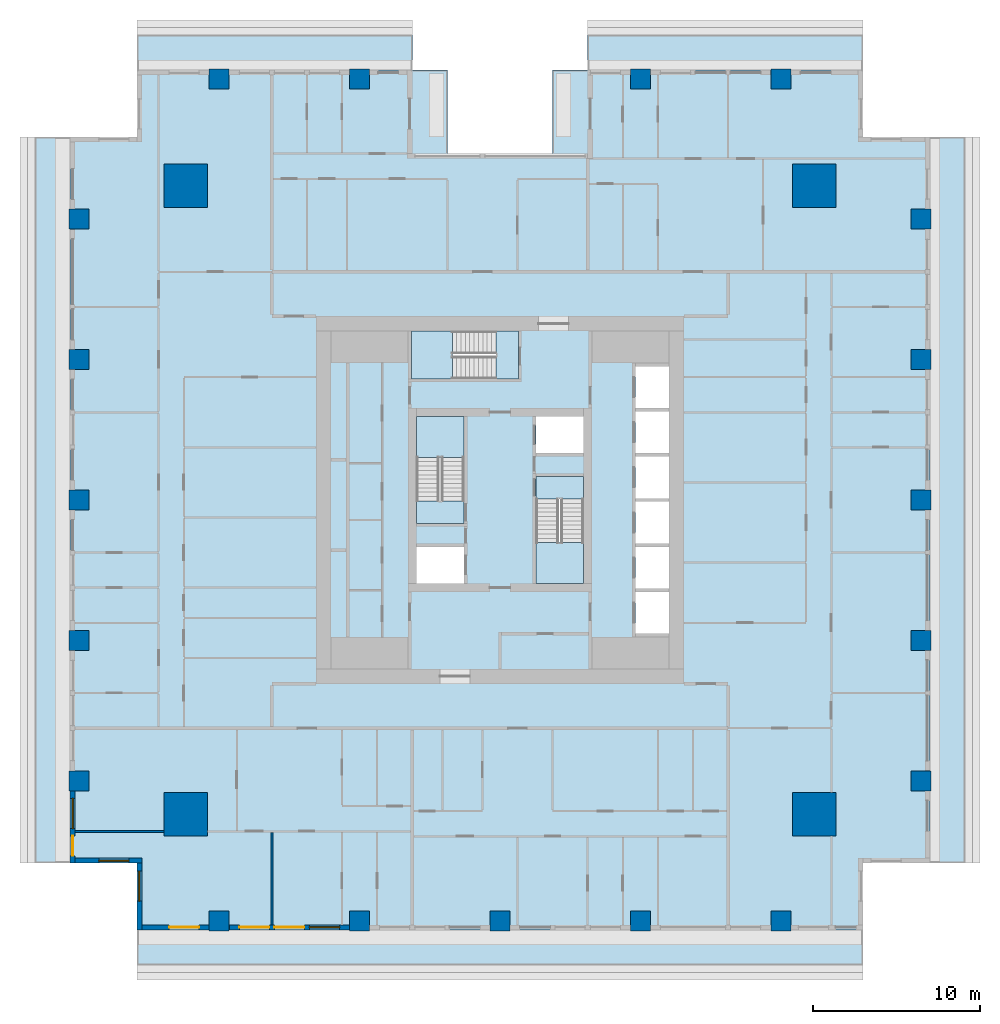
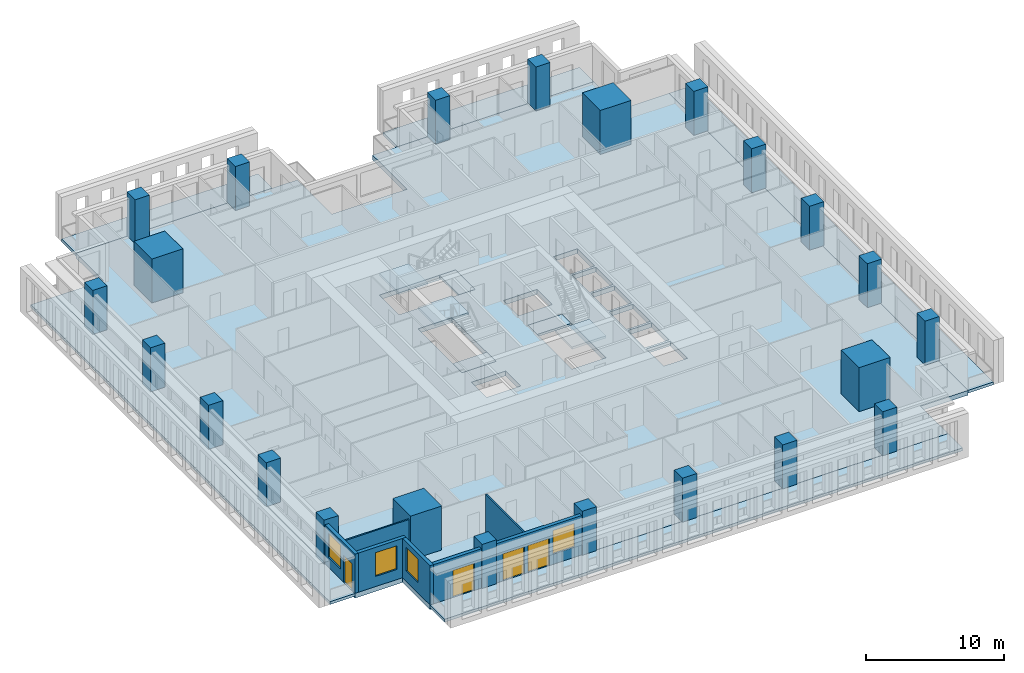
# One storey, part 1 of 16: 23 columns, 12 slabs, 7 walls, 4 doors, 4 windows, 8 openings, 3 elements without a shape of their own.
"""IFC4 building model written with IfcOpenShell, lengths in metres."""

import ifcopenshell
import ifcopenshell.guid

model = None  # the IFC model being written
_history = None  # IfcOwnerHistory: only IFC2X3 demands one
_inside = {}  # id of a spatial element -> (the spatial element, [elements in it])
_under = {}  # id of a project, library or spatial element -> (it, [spatial elements below it])
_declared = {}  # id of a project -> (the project, [libraries it declares])
_typed = {}  # id of a type object -> (the type object, [elements of that type])
_made_of = {}  # id of a material, layer set ... -> (it, [elements and type objects made of it])


def new_model(schema):
    """Start an empty IFC model of exactly this schema.

    Asked for "IFC4X3", IfcOpenShell would pick the latest addendum, in which some entities
    have other attributes; the version numbers below select the first issue.
    IFC2X3 requires an IfcOwnerHistory on every rooted entity: one is made here for all.
    """
    global model, _history
    if schema == "IFC4X3":
        model = ifcopenshell.file(schema_version=(4, 3, 0, 0))
    else:
        model = ifcopenshell.file(schema=schema)
    _inside.clear()
    _under.clear()
    _declared.clear()
    _typed.clear()
    _made_of.clear()
    _history = None
    if model.schema == "IFC2X3":
        org = make("IfcOrganization", Name="unknown")
        user = make(
            "IfcPersonAndOrganization",
            ThePerson=make("IfcPerson", FamilyName="unknown"),
            TheOrganization=org,
        )
        app = make(
            "IfcApplication",
            ApplicationDeveloper=org,
            Version="unknown",
            ApplicationFullName="unknown",
            ApplicationIdentifier="unknown",
        )
        _history = make(
            "IfcOwnerHistory",
            OwningUser=user,
            OwningApplication=app,
            ChangeAction="ADDED",
            CreationDate=0,
        )
    return model


def make(cls, **values):
    """One entity of the class cls with the attributes given. An attribute that is None is left unset."""
    return model.create_entity(
        cls, **{name: value for name, value in values.items() if value is not None}
    )


def rooted(cls, **values):
    """An entity with a GlobalId (a new one), such as an element, a storey or a relation."""
    return make(cls, GlobalId=ifcopenshell.guid.new(), OwnerHistory=_history, **values)


def si_unit(unit_type, name, prefix=None):
    """IfcSIUnit, for example si_unit("LENGTHUNIT", "METRE", prefix="MILLI")."""
    return make("IfcSIUnit", UnitType=unit_type, Prefix=prefix, Name=name)


def assignment(units):
    """IfcUnitAssignment: the units of a project."""
    return None if units is None else make("IfcUnitAssignment", Units=units)


def point(xyz):
    """IfcCartesianPoint."""
    return None if xyz is None else make("IfcCartesianPoint", Coordinates=xyz)


def direction(xyz):
    """IfcDirection."""
    return None if xyz is None else make("IfcDirection", DirectionRatios=xyz)


def frame(location, z_axis=None, x_axis=None):
    """IfcAxis2Placement3D, a coordinate frame: its origin and axes. An axis left out is left unset."""
    return make(
        "IfcAxis2Placement3D",
        Location=point(location),
        Axis=direction(z_axis),
        RefDirection=direction(x_axis),
    )


def frame_2d(location, x_axis=None):
    """IfcAxis2Placement2D, a coordinate frame in the plane: its origin and x axis."""
    return make(
        "IfcAxis2Placement2D", Location=point(location), RefDirection=direction(x_axis)
    )


def origin():
    """The frame at (0, 0, 0) with its axes left unset."""
    return frame((0.0, 0.0, 0.0))


def origin_2d():
    """The frame at (0, 0) in the plane with its x axis left unset."""
    return frame_2d((0.0, 0.0))


def place(relative_to, where):
    """IfcLocalPlacement: puts the frame where relative to a parent placement (None: the world)."""
    return make(
        "IfcLocalPlacement", PlacementRelTo=relative_to, RelativePlacement=where
    )


def context(
    kind, dimensions, precision=None, world=None, true_north=None, identifier=None
):
    """IfcGeometricRepresentationContext, for example the 3D "Model" context."""
    return make(
        "IfcGeometricRepresentationContext",
        ContextIdentifier=identifier,
        ContextType=kind,
        CoordinateSpaceDimension=dimensions,
        Precision=precision,
        WorldCoordinateSystem=world,
        TrueNorth=true_north,
    )


def subcontext(parent, identifier, kind, view, scale=None):
    """IfcGeometricRepresentationSubContext, for example "Body" below "Model"."""
    return make(
        "IfcGeometricRepresentationSubContext",
        ContextIdentifier=identifier,
        ContextType=kind,
        ParentContext=parent,
        TargetScale=scale,
        TargetView=view,
    )


def project(units=None, contexts=None):
    """IfcProject with its units and contexts."""
    return rooted(
        "IfcProject",
        Name="project",
        RepresentationContexts=contexts,
        UnitsInContext=assignment(units),
    )


def spatial(cls, under=None, at=None, **own):
    """A site, building, storey or space (cls), placed at a placement, below another one or the project."""
    s = rooted(cls, ObjectPlacement=at, **own)
    if under is not None:
        _under.setdefault(under.id(), (under, []))[1].append(s)
    return s


def polyline(points):
    """IfcPolyline through the points."""
    return make("IfcPolyline", Points=[point(p) for p in points])


def profile(cls, at=None, kind="AREA", **sizes):
    """A parametric profile (cls). Its sizes go by their IFC names, for example OverallWidth=200.0."""
    return make(cls, ProfileType=kind, Position=at, **sizes)


def rectangle(**sizes):
    """IfcRectangleProfileDef."""
    return profile("IfcRectangleProfileDef", **sizes)


def outline(outer, holes=None, kind="AREA"):
    """IfcArbitraryClosedProfileDef: a profile drawn as a closed curve; with holes, ...WithVoids."""
    if holes is None:
        return make("IfcArbitraryClosedProfileDef", ProfileType=kind, OuterCurve=outer)
    return make(
        "IfcArbitraryProfileDefWithVoids",
        ProfileType=kind,
        OuterCurve=outer,
        InnerCurves=holes,
    )


def extrude(swept, where, along, depth):
    """IfcExtrudedAreaSolid: the profile swept, set in the frame where, extruded along a direction by depth."""
    return make(
        "IfcExtrudedAreaSolid",
        SweptArea=swept,
        Position=where,
        ExtrudedDirection=direction(along),
        Depth=depth,
    )


def shape(context_of_items, identifier, shape_type, items):
    """IfcShapeRepresentation: the items that make up one representation, for example the "Body"."""
    return make(
        "IfcShapeRepresentation",
        ContextOfItems=context_of_items,
        RepresentationIdentifier=identifier,
        RepresentationType=shape_type,
        Items=items,
    )


def material(Name=None, Category=None):
    """IfcMaterial."""
    return make("IfcMaterial", Name=Name, Category=Category)


def layer(
    of_material, thickness, ventilated=None, Name=None, Category=None, Priority=None
):
    """IfcMaterialLayer: one layer of a wall or slab, of a material (None: an air gap)."""
    return make(
        "IfcMaterialLayer",
        Material=of_material,
        LayerThickness=thickness,
        IsVentilated=ventilated,
        Name=Name,
        Category=Category,
        Priority=Priority,
    )


def layer_set(layers, Name=None):
    """IfcMaterialLayerSet."""
    return make("IfcMaterialLayerSet", MaterialLayers=layers, LayerSetName=Name)


def material_profile(
    of_material, cross_section, Name=None, Category=None, Priority=None
):
    """IfcMaterialProfile: a cross section and its material."""
    return make(
        "IfcMaterialProfile",
        Name=Name,
        Material=of_material,
        Profile=cross_section,
        Priority=Priority,
        Category=Category,
    )


def profile_set(profiles, Name=None, composite=None):
    """IfcMaterialProfileSet."""
    return make(
        "IfcMaterialProfileSet",
        Name=Name,
        MaterialProfiles=profiles,
        CompositeProfile=composite,
    )


def made_of(thing, what):
    """Note that an element or type object is made of a material, layer set ...; save() writes the relation."""
    if what is not None:
        _made_of.setdefault(what.id(), (what, []))[1].append(thing)
    return thing


def type_object(cls, material=None, **own):
    """A type object (cls), such as IfcWallType, which elements share."""
    return made_of(rooted(cls, **own), material)


def element(
    cls,
    number,
    at=None,
    inside=None,
    cuts=None,
    type_object=None,
    material=None,
    context=None,
    identifier="Body",
    shape_type=None,
    held_by="IfcProductDefinitionShape",
    body=None,
    shapes=None,
    **own,
):
    """One element of the class cls, such as IfcWall. Its Tag is "e" and its number.

    at: its placement. inside: the storey or other place that contains it. cuts: it is an
    opening in that element (IfcRelVoidsElement). A single representation is given by context,
    identifier, shape_type and body (its items); several are given by shapes. held_by: the class
    of the entity that holds the representations. save() writes the other relations.
    """
    e = rooted(cls, Tag="e%d" % number, ObjectPlacement=at, **own)
    if body is not None:
        shapes = [shape(context, identifier, shape_type, body)]
    if shapes is not None:
        e.Representation = make(held_by, Representations=shapes)
    if inside is not None:
        _inside.setdefault(inside.id(), (inside, []))[1].append(e)
    if cuts is not None:
        rooted(
            "IfcRelVoidsElement", RelatingBuildingElement=cuts, RelatedOpeningElement=e
        )
    if type_object is not None:
        _typed.setdefault(type_object.id(), (type_object, []))[1].append(e)
    return made_of(e, material)


def fill(opening, filler):
    """IfcRelFillsElement: the door or window that sits in an opening."""
    return rooted(
        "IfcRelFillsElement",
        RelatingOpeningElement=opening,
        RelatedBuildingElement=filler,
    )


def aggregate(whole, parts):
    """IfcRelAggregates: a whole, such as a stair, and the parts it consists of."""
    return rooted("IfcRelAggregates", RelatingObject=whole, RelatedObjects=parts)


def save(model, path):
    """Write the relations noted so far, then the file.

    IfcRelAggregates (storeys below a building ...), IfcRelContainedInSpatialStructure (elements
    in a storey), IfcRelDefinesByType, IfcRelAssociatesMaterial and IfcRelDeclares: one each for
    every whole, place, type object, material and project.
    """
    for whole, parts in _under.values():
        aggregate(whole, parts)
    for where, things in _inside.values():
        rooted(
            "IfcRelContainedInSpatialStructure",
            RelatedElements=things,
            RelatingStructure=where,
        )
    for kind, things in _typed.values():
        rooted("IfcRelDefinesByType", RelatedObjects=things, RelatingType=kind)
    for what, things in _made_of.values():
        rooted("IfcRelAssociatesMaterial", RelatedObjects=things, RelatingMaterial=what)
    for by, libraries in _declared.values():
        rooted("IfcRelDeclares", RelatingContext=by, RelatedDefinitions=libraries)
    model.write(path)


model = new_model("IFC4")

# Units and contexts
model_context = context("Model", 3, precision=1e-05, world=origin(), true_north=direction((0.0, 1.0)))
body_context = subcontext(model_context, "Body", "Model", "MODEL_VIEW")
ifc_project = project(units=[si_unit("LENGTHUNIT", "METRE"), si_unit("AREAUNIT", "SQUARE_METRE"), si_unit("VOLUMEUNIT", "CUBIC_METRE"), si_unit("PLANEANGLEUNIT", "RADIAN"), si_unit("MASSUNIT", "GRAM", prefix="KILO")], contexts=[model_context])

# Site, building, storey
site_placement = place(None, origin())
site = spatial("IfcSite", under=ifc_project, at=site_placement, CompositionType="ELEMENT")
building_placement = place(site_placement, origin())
building = spatial("IfcBuilding", under=site, at=building_placement, Name="Khepri Terraces", CompositionType="ELEMENT")
storey_placement = place(building_placement, frame((0.0, 0.0, 141.60009765625)))
storey = spatial("IfcBuildingStorey", under=building, at=storey_placement, Name="L33", CompositionType="ELEMENT", Elevation=141.60009765625)

# Columns
ifc_material_1 = material(Name="Concrete C60/75", Category="concrete")
ifc_material_profile_1 = material_profile(ifc_material_1, rectangle(XDim=2.60009765625, YDim=2.60009765625, at=origin_2d()), Name="Concrete C60/75", Category="concrete")
ifc_profile_set_1 = profile_set([ifc_material_profile_1], Name="Concrete C60/75")
column_type_1 = type_object("IfcColumnType", Name="Mega column RC 2600x2600 C60/75", PredefinedType="COLUMN", material=ifc_profile_set_1)
for number, where, z_axis, x_axis, name in (
    (1, (18.800048828125, 18.800048828125, 0.0), (0.0, 0.0, 1.0), (1.0, 0.0, 0.0), "Mega column MEN L33"),
    (2, (18.800048828125, -18.800048828125, 0.0), (0.0, 0.0, 1.0), (1.0, 0.0, 0.0), "Mega column MES L33"),
    (3, (-18.800048828125, 18.800048828125, 0.0), (0.0, 0.0, 1.0), (1.0, 0.0, 0.0), "Mega column MWN L33"),
    (4, (-18.800048828125, -18.800048828125, 0.0), (0.0, 0.0, 1.0), (1.0, 0.0, 0.0), "Mega column MWS L33"),
):
    element("IfcColumn", number, at=place(storey_placement, frame(where, z_axis=z_axis, x_axis=x_axis)), inside=storey, type_object=column_type_1, Name=name, PredefinedType="COLUMN", context=body_context, shape_type="SweptSolid", body=[
        extrude(rectangle(XDim=2.60009765625, YDim=2.60009765625, at=origin_2d()), origin(), (0.0, 0.0, 1.0), 3.89990234375),
    ])
ifc_material_profile_2 = material_profile(ifc_material_1, rectangle(XDim=1.199951171875, YDim=1.199951171875, at=origin_2d()), Name="Concrete C60/75", Category="concrete")
ifc_profile_set_2 = profile_set([ifc_material_profile_2], Name="Concrete C60/75")
column_type_2 = type_object("IfcColumnType", Name="Tower column RC 1200x1200 C60/75", PredefinedType="COLUMN", material=ifc_profile_set_2)
for number, where, z_axis, x_axis, name in (
    (5, (25.199951171875, 0.0, 0.0), (0.0, 0.0, 1.0), (1.0, 0.0, 0.0), "Perimeter column PE+000a L33"),
    (6, (25.199951171875, 8.39990234375, 0.0), (0.0, 0.0, 1.0), (1.0, 0.0, 0.0), "Perimeter column PE+084a L33"),
    (7, (25.199951171875, 16.800048828125, 0.0), (0.0, 0.0, 1.0), (1.0, 0.0, 0.0), "Perimeter column PE+168a L33"),
    (8, (25.199951171875, -8.39990234375, 0.0), (0.0, 0.0, 1.0), (1.0, 0.0, 0.0), "Perimeter column PE-084a L33"),
    (9, (25.199951171875, -16.800048828125, 0.0), (0.0, 0.0, 1.0), (1.0, 0.0, 0.0), "Perimeter column PE-168a L33"),
    (10, (-8.39990234375, 25.199951171875, 0.0), (0.0, 0.0, 1.0), (1.0, 0.0, 0.0), "Perimeter column PN+084a L33"),
    (11, (-16.800048828125, 25.199951171875, 0.0), (0.0, 0.0, 1.0), (1.0, 0.0, 0.0), "Perimeter column PN+168a L33"),
    (12, (8.39990234375, 25.199951171875, 0.0), (0.0, 0.0, 1.0), (1.0, 0.0, 0.0), "Perimeter column PN-084a L33"),
    (13, (16.800048828125, 25.199951171875, 0.0), (0.0, 0.0, 1.0), (1.0, 0.0, 0.0), "Perimeter column PN-168a L33"),
    (14, (0.0, -25.199951171875, 0.0), (0.0, 0.0, 1.0), (1.0, 0.0, 0.0), "Perimeter column PS+000b L33"),
    (15, (8.39990234375, -25.199951171875, 0.0), (0.0, 0.0, 1.0), (1.0, 0.0, 0.0), "Perimeter column PS+084b L33"),
    (16, (16.800048828125, -25.199951171875, 0.0), (0.0, 0.0, 1.0), (1.0, 0.0, 0.0), "Perimeter column PS+168a L33"),
    (17, (-8.39990234375, -25.199951171875, 0.0), (0.0, 0.0, 1.0), (1.0, 0.0, 0.0), "Perimeter column PS-084b L33"),
    (18, (-16.800048828125, -25.199951171875, 0.0), (0.0, 0.0, 1.0), (1.0, 0.0, 0.0), "Perimeter column PS-168a L33"),
    (19, (-25.199951171875, 0.0, 0.0), (0.0, 0.0, 1.0), (1.0, 0.0, 0.0), "Perimeter column PW+000b L33"),
    (20, (-25.199951171875, -8.39990234375, 0.0), (0.0, 0.0, 1.0), (1.0, 0.0, 0.0), "Perimeter column PW+084b L33"),
    (21, (-25.199951171875, -16.800048828125, 0.0), (0.0, 0.0, 1.0), (1.0, 0.0, 0.0), "Perimeter column PW+168a L33"),
    (22, (-25.199951171875, 8.39990234375, 0.0), (0.0, 0.0, 1.0), (1.0, 0.0, 0.0), "Perimeter column PW-084b L33"),
    (23, (-25.199951171875, 16.800048828125, 0.0), (0.0, 0.0, 1.0), (1.0, 0.0, 0.0), "Perimeter column PW-168a L33"),
):
    element("IfcColumn", number, at=place(storey_placement, frame(where, z_axis=z_axis, x_axis=x_axis)), inside=storey, type_object=column_type_2, Name=name, PredefinedType="COLUMN", context=body_context, shape_type="SweptSolid", body=[
        extrude(rectangle(XDim=1.199951171875, YDim=1.199951171875, at=origin_2d()), origin(), (0.0, 0.0, 1.0), 3.89990234375),
    ])

# Slabs
ifc_material_2 = material(Name="Concrete C40/50", Category="concrete")
ifc_layer_1 = layer(ifc_material_2, 0.419921875, Name="Concrete C40/50", Category="concrete")
ifc_layer_set_1 = layer_set([ifc_layer_1], Name="Concrete C40/50")
slab_type_1 = type_object("IfcSlabType", Name="Flat plate 420", PredefinedType="FLOOR", material=ifc_layer_set_1)
slab_1_placement = place(storey_placement, frame((0.0, 0.0, -0.420166015625)))
element("IfcSlab", 24, at=slab_1_placement, inside=storey, type_object=slab_type_1, Name="Floor slab F01 L33", PredefinedType="FLOOR", context=body_context, shape_type="SweptSolid", body=[
    extrude(outline(polyline([(3.14990234375, 25.719970703125), (5.25, 25.719970703125), (21.719970703125, 25.719970703125), (21.719970703125, 21.719970703125), (25.719970703125, 21.719970703125), (25.719970703125, -21.719970703125), (21.719970703125, -21.719970703125), (21.719970703125, -25.719970703125), (-21.719970703125, -25.719970703125), (-21.719970703125, -21.719970703125), (-25.719970703125, -21.719970703125), (-25.719970703125, 21.719970703125), (-21.719970703125, 21.719970703125), (-21.719970703125, 25.719970703125), (-5.25, 25.719970703125), (-3.14990234375, 25.719970703125), (-3.14990234375, 20.719970703125), (3.14990234375, 20.719970703125), (3.14990234375, 25.719970703125)]), holes=[polyline([(2.14990234375, 2.800048828125), (5.0, 2.800048828125), (5.0, 5.0), (2.14990234375, 5.0), (2.14990234375, 2.800048828125)]), polyline([(-5.0, -2.800048828125), (-5.0, -5.0), (-2.14990234375, -5.0), (-2.14990234375, -2.800048828125), (-5.0, -2.800048828125)]), polyline([(10.10009765625, -5.5), (8.10009765625, -5.5), (8.10009765625, -8.0), (10.10009765625, -8.0), (10.10009765625, -5.5)]), polyline([(10.10009765625, -5.300048828125), (10.10009765625, -2.800048828125), (8.10009765625, -2.800048828125), (8.10009765625, -5.300048828125), (10.10009765625, -5.300048828125)]), polyline([(8.10009765625, -2.60009765625), (10.10009765625, -2.60009765625), (10.10009765625, -0.10009765625), (8.10009765625, -0.10009765625), (8.10009765625, -2.60009765625)]), polyline([(8.10009765625, 2.60009765625), (8.10009765625, 0.10009765625), (10.10009765625, 0.10009765625), (10.10009765625, 2.60009765625), (8.10009765625, 2.60009765625)]), polyline([(10.10009765625, 5.300048828125), (8.10009765625, 5.300048828125), (8.10009765625, 2.800048828125), (10.10009765625, 2.800048828125), (10.10009765625, 5.300048828125)]), polyline([(10.10009765625, 5.5), (10.10009765625, 8.0), (8.10009765625, 8.0), (8.10009765625, 5.5), (10.10009765625, 5.5)]), polyline([(-5.0, -1.39990234375), (-2.14990234375, -1.39990234375), (-2.14990234375, 5.0), (-5.0, 5.0), (-5.0, -1.39990234375)]), polyline([(5.0, -5.0), (5.0, 1.39990234375), (2.14990234375, 1.39990234375), (2.14990234375, -5.0), (5.0, -5.0)]), polyline([(-5.300048828125, 10.10009765625), (-5.300048828125, 7.25), (1.10009765625, 7.25), (1.10009765625, 10.10009765625), (-5.300048828125, 10.10009765625)])]), origin(), (0.0, 0.0, 1.0), 0.420166015625),
])
ifc_material_3 = material(Name="Precast concrete C50/60 warm stone", Category="masonry")
ifc_layer_2 = layer(ifc_material_3, 0.25, Name="Precast concrete C50/60 warm stone", Category="masonry")
ifc_layer_set_2 = layer_set([ifc_layer_2], Name="Precast concrete C50/60 warm stone")
slab_type_2 = type_object("IfcSlabType", Name="SLB-BALCONY-250", PredefinedType="FLOOR", material=ifc_layer_set_2)
slab_2_placement = place(storey_placement, frame((0.0, 0.0, -0.25)))
element("IfcSlab", 25, at=slab_2_placement, inside=storey, type_object=slab_type_2, Name="Balcony slab L33 S", PredefinedType="FLOOR", context=body_context, shape_type="SweptSolid", body=[
    extrude(outline(polyline([(-17.39990234375, -25.719970703125), (-21.719970703125, -25.719970703125), (-21.719970703125, -27.820068359375), (21.719970703125, -27.820068359375), (21.719970703125, -25.719970703125), (17.39990234375, -25.719970703125), (17.39990234375, -25.800048828125), (16.199951171875, -25.800048828125), (16.199951171875, -25.719970703125), (9.0, -25.719970703125), (9.0, -25.800048828125), (7.800048828125, -25.800048828125), (7.800048828125, -25.719970703125), (0.60009765625, -25.719970703125), (0.60009765625, -25.800048828125), (-0.60009765625, -25.800048828125), (-0.60009765625, -25.719970703125), (-7.800048828125, -25.719970703125), (-7.800048828125, -25.800048828125), (-9.0, -25.800048828125), (-9.0, -25.719970703125), (-16.199951171875, -25.719970703125), (-16.199951171875, -25.800048828125), (-17.39990234375, -25.800048828125), (-17.39990234375, -25.719970703125)])), origin(), (0.0, 0.0, 1.0), 0.25),
])
slab_3_placement = place(storey_placement, frame((0.0, 0.0, -0.25)))
element("IfcSlab", 26, at=slab_3_placement, inside=storey, type_object=slab_type_2, Name="Balcony slab L33 E", PredefinedType="FLOOR", context=body_context, shape_type="SweptSolid", body=[
    extrude(outline(polyline([(25.719970703125, -17.39990234375), (25.719970703125, -21.719970703125), (27.820068359375, -21.719970703125), (27.820068359375, 21.719970703125), (25.719970703125, 21.719970703125), (25.719970703125, 17.39990234375), (25.800048828125, 17.39990234375), (25.800048828125, 16.199951171875), (25.719970703125, 16.199951171875), (25.719970703125, 9.0), (25.800048828125, 9.0), (25.800048828125, 7.800048828125), (25.719970703125, 7.800048828125), (25.719970703125, 0.60009765625), (25.800048828125, 0.60009765625), (25.800048828125, -0.60009765625), (25.719970703125, -0.60009765625), (25.719970703125, -7.800048828125), (25.800048828125, -7.800048828125), (25.800048828125, -9.0), (25.719970703125, -9.0), (25.719970703125, -16.199951171875), (25.800048828125, -16.199951171875), (25.800048828125, -17.39990234375), (25.719970703125, -17.39990234375)])), origin(), (0.0, 0.0, 1.0), 0.25),
])
slab_4_placement = place(storey_placement, frame((0.0, 0.0, -0.25)))
element("IfcSlab", 27, at=slab_4_placement, inside=storey, type_object=slab_type_2, Name="Balcony slab L33 N", PredefinedType="FLOOR", context=body_context, shape_type="SweptSolid", body=[
    extrude(outline(polyline([(17.39990234375, 25.719970703125), (21.719970703125, 25.719970703125), (21.719970703125, 27.820068359375), (5.25, 27.820068359375), (5.25, 25.719970703125), (7.800048828125, 25.719970703125), (7.800048828125, 25.800048828125), (9.0, 25.800048828125), (9.0, 25.719970703125), (16.199951171875, 25.719970703125), (16.199951171875, 25.800048828125), (17.39990234375, 25.800048828125), (17.39990234375, 25.719970703125)])), origin(), (0.0, 0.0, 1.0), 0.25),
])
slab_5_placement = place(storey_placement, frame((0.0, 0.0, -0.25)))
element("IfcSlab", 28, at=slab_5_placement, inside=storey, type_object=slab_type_2, Name="Balcony slab L33 N", PredefinedType="FLOOR", context=body_context, shape_type="SweptSolid", body=[
    extrude(outline(polyline([(-7.800048828125, 25.719970703125), (-5.25, 25.719970703125), (-5.25, 27.820068359375), (-21.719970703125, 27.820068359375), (-21.719970703125, 25.719970703125), (-17.39990234375, 25.719970703125), (-17.39990234375, 25.800048828125), (-16.199951171875, 25.800048828125), (-16.199951171875, 25.719970703125), (-9.0, 25.719970703125), (-9.0, 25.800048828125), (-7.800048828125, 25.800048828125), (-7.800048828125, 25.719970703125)])), origin(), (0.0, 0.0, 1.0), 0.25),
])
slab_6_placement = place(storey_placement, frame((0.0, 0.0, -0.25)))
element("IfcSlab", 29, at=slab_6_placement, inside=storey, type_object=slab_type_2, Name="Balcony slab L33 W", PredefinedType="FLOOR", context=body_context, shape_type="SweptSolid", body=[
    extrude(outline(polyline([(-25.719970703125, 17.39990234375), (-25.719970703125, 21.719970703125), (-27.820068359375, 21.719970703125), (-27.820068359375, -21.719970703125), (-25.719970703125, -21.719970703125), (-25.719970703125, -17.39990234375), (-25.800048828125, -17.39990234375), (-25.800048828125, -16.199951171875), (-25.719970703125, -16.199951171875), (-25.719970703125, -9.0), (-25.800048828125, -9.0), (-25.800048828125, -7.800048828125), (-25.719970703125, -7.800048828125), (-25.719970703125, -0.60009765625), (-25.800048828125, -0.60009765625), (-25.800048828125, 0.60009765625), (-25.719970703125, 0.60009765625), (-25.719970703125, 7.800048828125), (-25.800048828125, 7.800048828125), (-25.800048828125, 9.0), (-25.719970703125, 9.0), (-25.719970703125, 16.199951171875), (-25.800048828125, 16.199951171875), (-25.800048828125, 17.39990234375), (-25.719970703125, 17.39990234375)])), origin(), (0.0, 0.0, 1.0), 0.25),
])

# Stair, slabs
stair_type = type_object("IfcStairType", Name="STAIR-RC-22R", PredefinedType="HALF_TURN_STAIR", material=ifc_material_2)
stair_1_placement = place(storey_placement, origin())
stair_1 = element("IfcStair", 30, at=stair_1_placement, inside=storey, type_object=stair_type, Name="L33 Exit Stair ST-1", PredefinedType="HALF_TURN_STAIR")
ifc_layer_3 = layer(ifc_material_2, 0.199951171875, Name="Concrete C40/50", Category="concrete")
ifc_layer_set_3 = layer_set([ifc_layer_3], Name="Concrete C40/50")
slab_type_3 = type_object("IfcSlabType", Name="SLB-CORE-LANDING", PredefinedType="LANDING", material=ifc_layer_set_3)
slab_7_placement = place(storey_placement, frame((0.0, 0.0, -0.2001953125)))
slab_7 = element("IfcSlab", 31, at=slab_7_placement, type_object=slab_type_3, Name="ST-1 landing 1", PredefinedType="LANDING", context=body_context, shape_type="SweptSolid", body=[
    extrude(outline(polyline([(-2.14990234375, -1.39990234375), (-2.14990234375, -0.050048828125), (-5.0, -0.050048828125), (-5.0, -1.39990234375), (-2.14990234375, -1.39990234375)])), origin(), (0.0, 0.0, 1.0), 0.2001953125),
])
slab_8_placement = place(storey_placement, frame((0.0, 0.0, 1.75)))
slab_8 = element("IfcSlab", 32, at=slab_8_placement, type_object=slab_type_3, Name="ST-1 landing 2", PredefinedType="LANDING", context=body_context, shape_type="SweptSolid", body=[
    extrude(outline(polyline([(-2.14990234375, 2.550048828125), (-2.14990234375, 5.0), (-5.0, 5.0), (-5.0, 2.550048828125), (-2.14990234375, 2.550048828125)])), origin(), (0.0, 0.0, 1.0), 0.199951171875),
])
aggregate(stair_1, [slab_7, slab_8])

stair_2_placement = place(storey_placement, origin())
stair_2 = element("IfcStair", 33, at=stair_2_placement, inside=storey, type_object=stair_type, Name="L33 Exit Stair ST-2", PredefinedType="HALF_TURN_STAIR")
slab_9_placement = place(storey_placement, frame((0.0, 0.0, -0.2001953125)))
slab_9 = element("IfcSlab", 34, at=slab_9_placement, type_object=slab_type_3, Name="ST-2 landing 1", PredefinedType="LANDING", context=body_context, shape_type="SweptSolid", body=[
    extrude(outline(polyline([(2.14990234375, 1.39990234375), (2.14990234375, 0.050048828125), (5.0, 0.050048828125), (5.0, 1.39990234375), (2.14990234375, 1.39990234375)])), origin(), (0.0, 0.0, 1.0), 0.2001953125),
])
slab_10_placement = place(storey_placement, frame((0.0, 0.0, 1.75)))
slab_10 = element("IfcSlab", 35, at=slab_10_placement, type_object=slab_type_3, Name="ST-2 landing 2", PredefinedType="LANDING", context=body_context, shape_type="SweptSolid", body=[
    extrude(outline(polyline([(2.14990234375, -2.550048828125), (2.14990234375, -5.0), (5.0, -5.0), (5.0, -2.550048828125), (2.14990234375, -2.550048828125)])), origin(), (0.0, 0.0, 1.0), 0.199951171875),
])
aggregate(stair_2, [slab_9, slab_10])

stair_3_placement = place(storey_placement, origin())
stair_3 = element("IfcStair", 36, at=stair_3_placement, inside=storey, type_object=stair_type, Name="L33 Exit Stair ST-3", PredefinedType="HALF_TURN_STAIR")
slab_11_placement = place(storey_placement, frame((0.0, 0.0, -0.2001953125)))
slab_11 = element("IfcSlab", 37, at=slab_11_placement, type_object=slab_type_3, Name="ST-3 landing 1", PredefinedType="LANDING", context=body_context, shape_type="SweptSolid", body=[
    extrude(outline(polyline([(1.10009765625, 10.10009765625), (-0.25, 10.10009765625), (-0.25, 7.25), (1.10009765625, 7.25), (1.10009765625, 10.10009765625)])), origin(), (0.0, 0.0, 1.0), 0.2001953125),
])
slab_12_placement = place(storey_placement, frame((0.0, 0.0, 1.75)))
slab_12 = element("IfcSlab", 38, at=slab_12_placement, type_object=slab_type_3, Name="ST-3 landing 2", PredefinedType="LANDING", context=body_context, shape_type="SweptSolid", body=[
    extrude(outline(polyline([(-2.85009765625, 10.10009765625), (-5.300048828125, 10.10009765625), (-5.300048828125, 7.25), (-2.85009765625, 7.25), (-2.85009765625, 10.10009765625)])), origin(), (0.0, 0.0, 1.0), 0.199951171875),
])
aggregate(stair_3, [slab_11, slab_12])

# Wall, openings, door, window
ifc_layer_4 = layer(ifc_material_3, 0.300048828125, Name="Precast concrete C50/60 warm stone", Category="masonry")
ifc_layer_set_4 = layer_set([ifc_layer_4], Name="Precast concrete C50/60 warm stone")
wall_type_1 = type_object("IfcWallType", Name="WL-EXT-PRECAST-300", PredefinedType="STANDARD", material=ifc_layer_set_4)
wall_1_placement = place(storey_placement, frame((-25.570068359375, -17.39990234375, 0.0), z_axis=(0.0, 0.0, 1.0), x_axis=(0.0, -1.0, 0.0)))
wall_1 = element("IfcWall", 39, at=wall_1_placement, inside=storey, type_object=wall_type_1, Name="External wall L33 W", PredefinedType="STANDARD", context=body_context, shape_type="SweptSolid", body=[
    extrude(rectangle(XDim=4.320068359375, YDim=0.300048828125, at=frame_2d((2.16015625, 0.0))), origin(), (0.0, 0.0, 1.0), 3.47998046875),
])
opening_1_placement = place(wall_1_placement, frame((2.695068359375, 0.0, 0.0)))
opening_1 = element("IfcOpeningElement", 40, at=opening_1_placement, cuts=wall_1, Name="Opening ED-L33-19", PredefinedType="OPENING", context=body_context, shape_type="SweptSolid", body=[
    extrude(rectangle(XDim=1.199951171875, YDim=2.39990234375, at=frame_2d((0.60009765625, 1.199951171875))), frame((0.0, 0.16015625, 0.0), z_axis=(0.0, -1.0, 0.0), x_axis=(1.0, 0.0, 0.0)), (0.0, 0.0, 1.0), 0.320068359375),
])
opening_2_placement = place(wall_1_placement, frame((0.4599609375, 0.0, 0.89990234375)))
opening_2 = element("IfcOpeningElement", 41, at=opening_2_placement, cuts=wall_1, Name="Opening W1", PredefinedType="OPENING", context=body_context, shape_type="SweptSolid", body=[
    extrude(rectangle(XDim=1.800048828125, YDim=2.10009765625, at=frame_2d((0.89990234375, 1.050048828125))), frame((0.0, 0.16015625, 0.0), z_axis=(0.0, -1.0, 0.0), x_axis=(1.0, 0.0, 0.0)), (0.0, 0.0, 1.0), 0.320068359375),
])
ifc_material_4 = material(Name="Anodised aluminium bronze glazed door", Category="aluminium")
door_type_1 = type_object("IfcDoorType", Name="DR-BAL-SLIDE-1200x2400", OperationType="NOTDEFINED", PredefinedType="DOOR", material=ifc_material_4)
door_1_placement = place(opening_1_placement, origin())
door_1 = element("IfcDoor", 42, at=door_1_placement, inside=storey, type_object=door_type_1, Name="Balcony door L33 W", OperationType="SLIDING_TO_LEFT", OverallHeight=2.39990234375, OverallWidth=1.199951171875, PredefinedType="DOOR", context=body_context, shape_type="SweptSolid", body=[
    extrude(rectangle(XDim=1.199951171875, YDim=2.39990234375, at=frame_2d((0.60009765625, 1.199951171875))), frame((0.0, 0.02490234375, 0.0), z_axis=(0.0, -1.0, 0.0), x_axis=(1.0, 0.0, 0.0)), (0.0, 0.0, 1.0), 0.050048828125),
])
fill(opening_1, door_1)
ifc_material_5 = material(Name="Clear glass", Category="glass")
window_type = type_object("IfcWindowType", Name="WIN-RES-1800x2100", PartitioningType="SINGLE_PANEL", PredefinedType="WINDOW", material=ifc_material_5)
window_1_placement = place(opening_2_placement, origin())
window_1 = element("IfcWindow", 43, at=window_1_placement, inside=storey, type_object=window_type, Name="Window L33 W", OverallHeight=2.10009765625, OverallWidth=1.800048828125, PartitioningType="SINGLE_PANEL", PredefinedType="WINDOW", context=body_context, shape_type="SweptSolid", body=[
    extrude(rectangle(XDim=1.800048828125, YDim=2.10009765625, at=frame_2d((0.89990234375, 1.050048828125))), frame((0.0, 0.030029296875, 0.0), z_axis=(0.0, -1.0, 0.0), x_axis=(1.0, 0.0, 0.0)), (0.0, 0.0, 1.0), 0.06005859375),
])
fill(opening_2, window_1)

# Wall, opening, window
wall_2_placement = place(storey_placement, frame((-25.419921875, -21.570068359375, 0.0), z_axis=(0.0, 0.0, 1.0), x_axis=(1.0, 0.0, 0.0)))
wall_2 = element("IfcWall", 44, at=wall_2_placement, inside=storey, type_object=wall_type_1, Name="External wall L33 S", PredefinedType="STANDARD", context=body_context, shape_type="SweptSolid", body=[
    extrude(rectangle(XDim=4.0, YDim=0.300048828125, at=frame_2d((2.0, 0.0))), origin(), (0.0, 0.0, 1.0), 3.47998046875),
])
opening_3_placement = place(wall_2_placement, frame((1.419921875, 0.0, 0.89990234375)))
opening_3 = element("IfcOpeningElement", 45, at=opening_3_placement, cuts=wall_2, Name="Opening W1", PredefinedType="OPENING", context=body_context, shape_type="SweptSolid", body=[
    extrude(rectangle(XDim=1.800048828125, YDim=2.10009765625, at=frame_2d((0.89990234375, 1.050048828125))), frame((0.0, 0.16015625, 0.0), z_axis=(0.0, -1.0, 0.0), x_axis=(1.0, 0.0, 0.0)), (0.0, 0.0, 1.0), 0.320068359375),
])
window_2_placement = place(opening_3_placement, origin())
window_2 = element("IfcWindow", 46, at=window_2_placement, inside=storey, type_object=window_type, Name="Window L33 S", OverallHeight=2.10009765625, OverallWidth=1.800048828125, PartitioningType="SINGLE_PANEL", PredefinedType="WINDOW", context=body_context, shape_type="SweptSolid", body=[
    extrude(rectangle(XDim=1.800048828125, YDim=2.10009765625, at=frame_2d((0.89990234375, 1.050048828125))), frame((0.0, 0.030029296875, 0.0), z_axis=(0.0, -1.0, 0.0), x_axis=(1.0, 0.0, 0.0)), (0.0, 0.0, 1.0), 0.06005859375),
])
fill(opening_3, window_2)

wall_3_placement = place(storey_placement, frame((-21.570068359375, -21.719970703125, 0.0), z_axis=(0.0, 0.0, 1.0), x_axis=(0.0, -1.0, 0.0)))
wall_3 = element("IfcWall", 47, at=wall_3_placement, inside=storey, type_object=wall_type_1, Name="External wall L33 W", PredefinedType="STANDARD", context=body_context, shape_type="SweptSolid", body=[
    extrude(rectangle(XDim=4.0, YDim=0.300048828125, at=frame_2d((2.0, 0.0))), origin(), (0.0, 0.0, 1.0), 3.47998046875),
])
opening_4_placement = place(wall_3_placement, frame((0.47998046875, 0.0, 0.89990234375)))
opening_4 = element("IfcOpeningElement", 48, at=opening_4_placement, cuts=wall_3, Name="Opening W1", PredefinedType="OPENING", context=body_context, shape_type="SweptSolid", body=[
    extrude(rectangle(XDim=1.800048828125, YDim=2.10009765625, at=frame_2d((0.89990234375, 1.050048828125))), frame((0.0, 0.16015625, 0.0), z_axis=(0.0, -1.0, 0.0), x_axis=(1.0, 0.0, 0.0)), (0.0, 0.0, 1.0), 0.320068359375),
])
window_3_placement = place(opening_4_placement, origin())
window_3 = element("IfcWindow", 49, at=window_3_placement, inside=storey, type_object=window_type, Name="Window L33 W", OverallHeight=2.10009765625, OverallWidth=1.800048828125, PartitioningType="SINGLE_PANEL", PredefinedType="WINDOW", context=body_context, shape_type="SweptSolid", body=[
    extrude(rectangle(XDim=1.800048828125, YDim=2.10009765625, at=frame_2d((0.89990234375, 1.050048828125))), frame((0.0, 0.030029296875, 0.0), z_axis=(0.0, -1.0, 0.0), x_axis=(1.0, 0.0, 0.0)), (0.0, 0.0, 1.0), 0.06005859375),
])
fill(opening_4, window_3)

# Wall, opening, door
wall_4_placement = place(storey_placement, frame((-21.419921875, -25.570068359375, 0.0), z_axis=(0.0, 0.0, 1.0), x_axis=(1.0, 0.0, 0.0)))
wall_4 = element("IfcWall", 50, at=wall_4_placement, inside=storey, type_object=wall_type_1, Name="External wall L33 S", PredefinedType="STANDARD", context=body_context, shape_type="SweptSolid", body=[
    extrude(rectangle(XDim=4.02001953125, YDim=0.300048828125, at=frame_2d((2.010009765625, 0.0))), origin(), (0.0, 0.0, 1.0), 3.47998046875),
])
opening_5_placement = place(wall_4_placement, frame((1.6201171875, 0.0, 0.0)))
opening_5 = element("IfcOpeningElement", 51, at=opening_5_placement, cuts=wall_4, Name="Opening ED-L33-20", PredefinedType="OPENING", context=body_context, shape_type="SweptSolid", body=[
    extrude(rectangle(XDim=1.800048828125, YDim=2.39990234375, at=frame_2d((0.89990234375, 1.199951171875))), frame((0.0, 0.16015625, 0.0), z_axis=(0.0, -1.0, 0.0), x_axis=(1.0, 0.0, 0.0)), (0.0, 0.0, 1.0), 0.320068359375),
])
door_type_2 = type_object("IfcDoorType", Name="DR-BAL-SLIDE-1800x2400", OperationType="NOTDEFINED", PredefinedType="DOOR", material=ifc_material_4)
door_2_placement = place(opening_5_placement, origin())
door_2 = element("IfcDoor", 52, at=door_2_placement, inside=storey, type_object=door_type_2, Name="Balcony door L33 S", OperationType="SLIDING_TO_RIGHT", OverallHeight=2.39990234375, OverallWidth=1.800048828125, PredefinedType="DOOR", context=body_context, shape_type="SweptSolid", body=[
    extrude(rectangle(XDim=1.800048828125, YDim=2.39990234375, at=frame_2d((0.89990234375, 1.199951171875))), frame((0.0, 0.02490234375, 0.0), z_axis=(0.0, -1.0, 0.0), x_axis=(1.0, 0.0, 0.0)), (0.0, 0.0, 1.0), 0.050048828125),
])
fill(opening_5, door_2)

# Wall, openings, doors, window
wall_5_placement = place(storey_placement, frame((-16.199951171875, -25.570068359375, 0.0), z_axis=(0.0, 0.0, 1.0), x_axis=(1.0, 0.0, 0.0)))
wall_5 = element("IfcWall", 53, at=wall_5_placement, inside=storey, type_object=wall_type_1, Name="External wall L33 S", PredefinedType="STANDARD", context=body_context, shape_type="SweptSolid", body=[
    extrude(rectangle(XDim=7.199951171875, YDim=0.300048828125, at=frame_2d((3.60009765625, 0.0))), origin(), (0.0, 0.0, 1.0), 3.47998046875),
])
opening_6_placement = place(wall_5_placement, frame((0.60009765625, 0.0, 0.0)))
opening_6 = element("IfcOpeningElement", 54, at=opening_6_placement, cuts=wall_5, Name="Opening ED-L33-21", PredefinedType="OPENING", context=body_context, shape_type="SweptSolid", body=[
    extrude(rectangle(XDim=1.800048828125, YDim=2.39990234375, at=frame_2d((0.89990234375, 1.199951171875))), frame((0.0, 0.16015625, 0.0), z_axis=(0.0, -1.0, 0.0), x_axis=(1.0, 0.0, 0.0)), (0.0, 0.0, 1.0), 0.320068359375),
])
opening_7_placement = place(wall_5_placement, frame((2.699951171875, 0.0, 0.0)))
opening_7 = element("IfcOpeningElement", 55, at=opening_7_placement, cuts=wall_5, Name="Opening ED-L33-22", PredefinedType="OPENING", context=body_context, shape_type="SweptSolid", body=[
    extrude(rectangle(XDim=1.800048828125, YDim=2.39990234375, at=frame_2d((0.89990234375, 1.199951171875))), frame((0.0, 0.16015625, 0.0), z_axis=(0.0, -1.0, 0.0), x_axis=(1.0, 0.0, 0.0)), (0.0, 0.0, 1.0), 0.320068359375),
])
opening_8_placement = place(wall_5_placement, frame((4.800048828125, 0.0, 0.89990234375)))
opening_8 = element("IfcOpeningElement", 56, at=opening_8_placement, cuts=wall_5, Name="Opening W1", PredefinedType="OPENING", context=body_context, shape_type="SweptSolid", body=[
    extrude(rectangle(XDim=1.800048828125, YDim=2.10009765625, at=frame_2d((0.89990234375, 1.050048828125))), frame((0.0, 0.16015625, 0.0), z_axis=(0.0, -1.0, 0.0), x_axis=(1.0, 0.0, 0.0)), (0.0, 0.0, 1.0), 0.320068359375),
])
door_3_placement = place(opening_6_placement, origin())
door_3 = element("IfcDoor", 57, at=door_3_placement, inside=storey, type_object=door_type_2, Name="Balcony door L33 S", OperationType="SLIDING_TO_LEFT", OverallHeight=2.39990234375, OverallWidth=1.800048828125, PredefinedType="DOOR", context=body_context, shape_type="SweptSolid", body=[
    extrude(rectangle(XDim=1.800048828125, YDim=2.39990234375, at=frame_2d((0.89990234375, 1.199951171875))), frame((0.0, 0.02490234375, 0.0), z_axis=(0.0, -1.0, 0.0), x_axis=(1.0, 0.0, 0.0)), (0.0, 0.0, 1.0), 0.050048828125),
])
fill(opening_6, door_3)
door_4_placement = place(opening_7_placement, origin())
door_4 = element("IfcDoor", 58, at=door_4_placement, inside=storey, type_object=door_type_2, Name="Balcony door L33 S", OperationType="SLIDING_TO_RIGHT", OverallHeight=2.39990234375, OverallWidth=1.800048828125, PredefinedType="DOOR", context=body_context, shape_type="SweptSolid", body=[
    extrude(rectangle(XDim=1.800048828125, YDim=2.39990234375, at=frame_2d((0.89990234375, 1.199951171875))), frame((0.0, 0.02490234375, 0.0), z_axis=(0.0, -1.0, 0.0), x_axis=(1.0, 0.0, 0.0)), (0.0, 0.0, 1.0), 0.050048828125),
])
fill(opening_7, door_4)
window_4_placement = place(opening_8_placement, origin())
window_4 = element("IfcWindow", 59, at=window_4_placement, inside=storey, type_object=window_type, Name="Window L33 S", OverallHeight=2.10009765625, OverallWidth=1.800048828125, PartitioningType="SINGLE_PANEL", PredefinedType="WINDOW", context=body_context, shape_type="SweptSolid", body=[
    extrude(rectangle(XDim=1.800048828125, YDim=2.10009765625, at=frame_2d((0.89990234375, 1.050048828125))), frame((0.0, 0.030029296875, 0.0), z_axis=(0.0, -1.0, 0.0), x_axis=(1.0, 0.0, 0.0)), (0.0, 0.0, 1.0), 0.06005859375),
])
fill(opening_8, window_4)

# Walls
ifc_material_6 = material(Name="Gypsum plasterboard partition")
ifc_layer_5 = layer(ifc_material_6, 0.1201171875, Name="Gypsum plasterboard partition")
ifc_layer_set_5 = layer_set([ifc_layer_5], Name="Gypsum plasterboard partition")
wall_type_2 = type_object("IfcWallType", Name="WL-PART-120", PredefinedType="PARTITIONING", material=ifc_layer_set_5)
wall_6_placement = place(storey_placement, frame((-13.64990234375, -25.419921875, 0.0), z_axis=(0.0, 0.0, 1.0), x_axis=(0.0, 1.0, 0.0)))
element("IfcWall", 60, at=wall_6_placement, inside=storey, type_object=wall_type_2, Name="Partition P-001 L33", PredefinedType="PARTITIONING", context=body_context, shape_type="SweptSolid", body=[
    extrude(rectangle(XDim=5.5400390625, YDim=0.1201171875, at=frame_2d((2.77001953125, 0.0))), origin(), (0.0, 0.0, 1.0), 3.47998046875),
])
wall_7_placement = place(storey_placement, frame((-25.419921875, -19.820068359375, 0.0), z_axis=(0.0, 0.0, 1.0), x_axis=(1.0, 0.0, 0.0)))
element("IfcWall", 61, at=wall_7_placement, inside=storey, type_object=wall_type_2, Name="Partition P-012 L33", PredefinedType="PARTITIONING", context=body_context, shape_type="SweptSolid", body=[
    extrude(rectangle(XDim=5.31982421875, YDim=0.1201171875, at=frame_2d((2.659912109375, 0.0))), origin(), (0.0, 0.0, 1.0), 3.47998046875),
])

save(model, "model.ifc")
